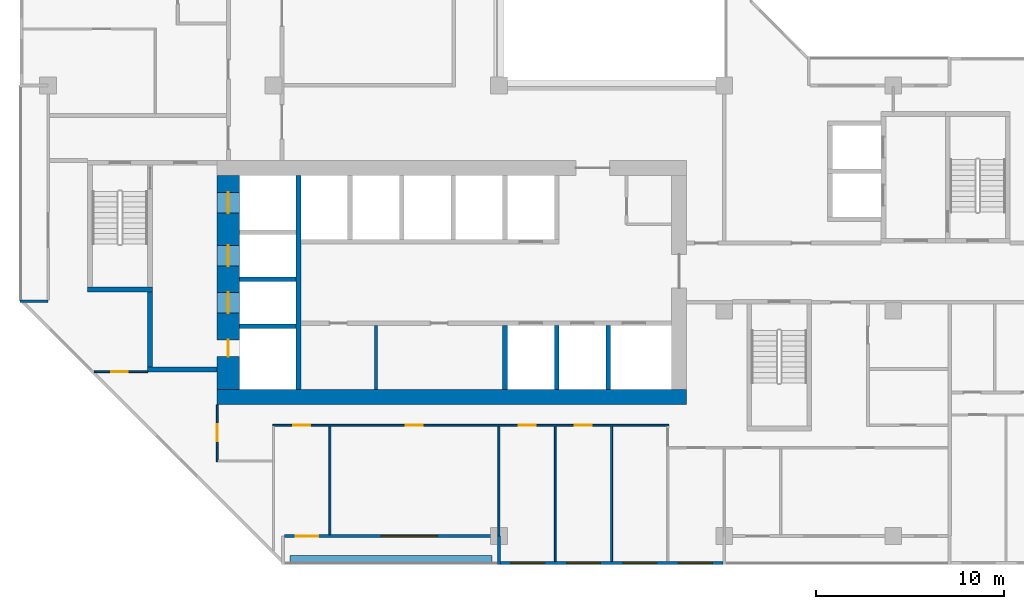
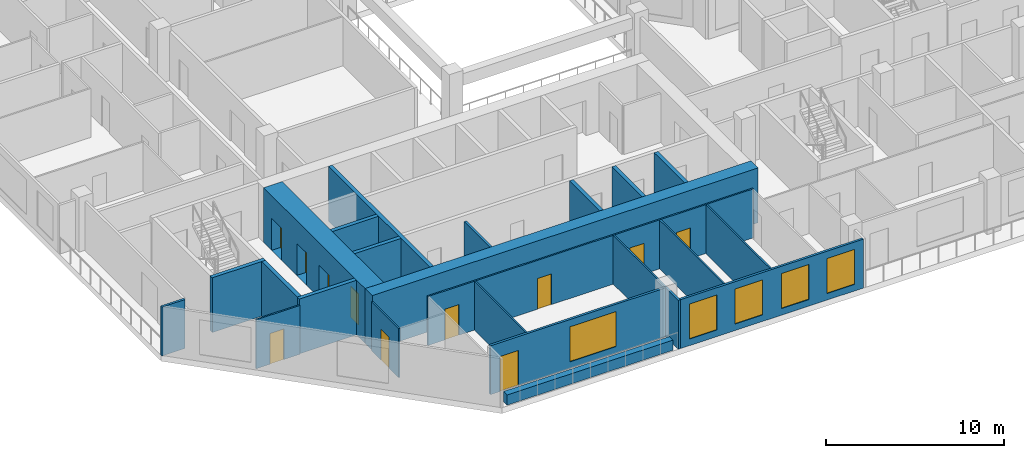
# One storey, part 4 of 15: 24 walls, 11 doors, 5 windows, 16 openings.
"""IFC4 building model written with IfcOpenShell, lengths in metres."""

from ifc_helpers import new_model, si_unit, direction, frame, frame_2d, origin, place, context, subcontext, project, spatial, rectangle, extrude, material, layer, layer_set, type_object, element, fill, save


model = new_model("IFC4")

# Units and contexts
model_context = context("Model", 3, precision=1e-05, world=origin(), true_north=direction((0.0, 1.0)))
body_context = subcontext(model_context, "Body", "Model", "MODEL_VIEW")
ifc_project = project(units=[si_unit("LENGTHUNIT", "METRE"), si_unit("AREAUNIT", "SQUARE_METRE"), si_unit("VOLUMEUNIT", "CUBIC_METRE"), si_unit("PLANEANGLEUNIT", "RADIAN"), si_unit("MASSUNIT", "GRAM", prefix="KILO")], contexts=[model_context])

# Site, building, storey
site_placement = place(None, origin())
site = spatial("IfcSite", under=ifc_project, at=site_placement, CompositionType="ELEMENT")
building_placement = place(site_placement, origin())
building = spatial("IfcBuilding", under=site, at=building_placement, Name="Chenar Terraces", CompositionType="ELEMENT")
storey_placement = place(building_placement, frame((0.0, 0.0, 198.64990234375)))
storey = spatial("IfcBuildingStorey", under=building, at=storey_placement, Name="L46", CompositionType="ELEMENT", Elevation=198.64990234375)

# Wall
ifc_material_1 = material(Name="Gypsum board on steel studs", Category="steel")
ifc_layer_1 = layer(ifc_material_1, 0.14990234375)
ifc_layer_set_1 = layer_set([ifc_layer_1], Name="Gypsum board on steel studs")
wall_type_1 = type_object("IfcWallType", Name="Core partition 150 gypsum board", PredefinedType="PARTITIONING", material=ifc_layer_set_1)
wall_1_placement = place(storey_placement, frame((17.449951171875, 7.800048828125, 0.0), z_axis=(0.0, 0.0, 1.0), x_axis=(0.0, 1.0, 0.0)))
element("IfcWall", 1, at=wall_1_placement, inside=storey, type_object=wall_type_1, Name="Core partition CP1 freed bay wall", PredefinedType="PARTITIONING", context=body_context, shape_type="SweptSolid", body=[
    extrude(rectangle(XDim=3.39990234375, YDim=0.14990234375, at=frame_2d((1.699951171875, 0.0))), origin(), (0.0, 0.0, 1.0), 3.35009765625),
])

# Wall, openings, doors
ifc_material_2 = material(Name="Concrete C60/75", Category="concrete")
ifc_layer_2 = layer(ifc_material_2, 1.199951171875)
ifc_layer_set_2 = layer_set([ifc_layer_2], Name="Concrete C60/75")
wall_type_2 = type_object("IfcWallType", Name="Core wall 1200 Concrete C60/75", PredefinedType="SHEAR", material=ifc_layer_set_2)
wall_2_placement = place(storey_placement, frame((9.60009765625, 7.800048828125, 0.0), z_axis=(0.0, 0.0, 1.0), x_axis=(0.0, 1.0, 0.0)))
wall_2 = element("IfcWall", 2, at=wall_2_placement, inside=storey, type_object=wall_type_2, Name="Core wall W L46", PredefinedType="SHEAR", context=body_context, shape_type="SweptSolid", body=[
    extrude(rectangle(XDim=11.39990234375, YDim=1.199951171875, at=frame_2d((5.699951171875, 0.0))), origin(), (0.0, 0.0, 1.0), 3.75),
])
opening_1_placement = place(wall_2_placement, frame((4.074951171875, 0.0, 0.0)))
opening_1 = element("IfcOpeningElement", 3, at=opening_1_placement, cuts=wall_2, Name="Opening DL46-LD5", PredefinedType="OPENING", context=body_context, shape_type="SweptSolid", body=[
    extrude(rectangle(XDim=1.10009765625, YDim=2.199951171875, at=frame_2d((0.550048828125, 1.10009765625))), frame((0.0, 0.60986328125, 0.0), z_axis=(0.0, -1.0, 0.0), x_axis=(1.0, 0.0, 0.0)), (0.0, 0.0, 1.0), 1.219970703125),
])
opening_2_placement = place(wall_2_placement, frame((6.574951171875, 0.0, 0.0)))
opening_2 = element("IfcOpeningElement", 4, at=opening_2_placement, cuts=wall_2, Name="Opening DL46-LD6", PredefinedType="OPENING", context=body_context, shape_type="SweptSolid", body=[
    extrude(rectangle(XDim=1.10009765625, YDim=2.199951171875, at=frame_2d((0.550048828125, 1.10009765625))), frame((0.0, 0.60986328125, 0.0), z_axis=(0.0, -1.0, 0.0), x_axis=(1.0, 0.0, 0.0)), (0.0, 0.0, 1.0), 1.219970703125),
])
opening_3_placement = place(wall_2_placement, frame((9.39990234375, 0.0, 0.0)))
opening_3 = element("IfcOpeningElement", 5, at=opening_3_placement, cuts=wall_2, Name="Opening DL46-LD7", PredefinedType="OPENING", context=body_context, shape_type="SweptSolid", body=[
    extrude(rectangle(XDim=1.10009765625, YDim=2.199951171875, at=frame_2d((0.550048828125, 1.10009765625))), frame((0.0, 0.60986328125, 0.0), z_axis=(0.0, -1.0, 0.0), x_axis=(1.0, 0.0, 0.0)), (0.0, 0.0, 1.0), 1.219970703125),
])
opening_4_placement = place(wall_2_placement, frame((1.75, 0.0, 0.0)))
opening_4 = element("IfcOpeningElement", 6, at=opening_4_placement, cuts=wall_2, Name="Opening DL46-C4", PredefinedType="OPENING", context=body_context, shape_type="SweptSolid", body=[
    extrude(rectangle(XDim=0.89990234375, YDim=2.10009765625, at=frame_2d((0.449951171875, 1.050048828125))), frame((0.0, 0.60986328125, 0.0), z_axis=(0.0, -1.0, 0.0), x_axis=(1.0, 0.0, 0.0)), (0.0, 0.0, 1.0), 1.219970703125),
])
ifc_material_3 = material(Name="Stainless steel", Category="steel")
door_type_1 = type_object("IfcDoorType", Name="Lift landing door 1100 x 2200 sliding", OperationType="DOUBLE_DOOR_SLIDING", PredefinedType="DOOR", material=ifc_material_3)
door_1_placement = place(opening_1_placement, origin())
door_1 = element("IfcDoor", 7, at=door_1_placement, inside=storey, type_object=door_type_1, Name="Landing door S1", OperationType="DOUBLE_DOOR_SLIDING", OverallHeight=2.199951171875, OverallWidth=1.10009765625, PredefinedType="DOOR", context=body_context, shape_type="SweptSolid", body=[
    extrude(rectangle(XDim=1.10009765625, YDim=2.199951171875, at=frame_2d((0.550048828125, 1.10009765625))), frame((0.0, 0.02490234375, 0.0), z_axis=(0.0, -1.0, 0.0), x_axis=(1.0, 0.0, 0.0)), (0.0, 0.0, 1.0), 0.050048828125),
])
fill(opening_1, door_1)
door_2_placement = place(opening_2_placement, origin())
door_2 = element("IfcDoor", 8, at=door_2_placement, inside=storey, type_object=door_type_1, Name="Landing door F1", OperationType="DOUBLE_DOOR_SLIDING", OverallHeight=2.199951171875, OverallWidth=1.10009765625, PredefinedType="DOOR", context=body_context, shape_type="SweptSolid", body=[
    extrude(rectangle(XDim=1.10009765625, YDim=2.199951171875, at=frame_2d((0.550048828125, 1.10009765625))), frame((0.0, 0.02490234375, 0.0), z_axis=(0.0, -1.0, 0.0), x_axis=(1.0, 0.0, 0.0)), (0.0, 0.0, 1.0), 0.050048828125),
])
fill(opening_2, door_2)
door_3_placement = place(opening_3_placement, origin())
door_3 = element("IfcDoor", 9, at=door_3_placement, inside=storey, type_object=door_type_1, Name="Landing door F2", OperationType="DOUBLE_DOOR_SLIDING", OverallHeight=2.199951171875, OverallWidth=1.10009765625, PredefinedType="DOOR", context=body_context, shape_type="SweptSolid", body=[
    extrude(rectangle(XDim=1.10009765625, YDim=2.199951171875, at=frame_2d((0.550048828125, 1.10009765625))), frame((0.0, 0.02490234375, 0.0), z_axis=(0.0, -1.0, 0.0), x_axis=(1.0, 0.0, 0.0)), (0.0, 0.0, 1.0), 0.050048828125),
])
fill(opening_3, door_3)
ifc_material_4 = material(Name="Steel-framed fire-resisting door leaf", Category="steel")
door_type_2 = type_object("IfcDoorType", Name="Riser fire door FD60 900 x 2100", OperationType="SINGLE_SWING_LEFT", PredefinedType="DOOR", material=ifc_material_4)
door_4_placement = place(opening_4_placement, frame((0.89990234375, 0.0, 0.0), z_axis=(0.0, 0.0, 1.0), x_axis=(-1.0, 0.0, 0.0)))
door_4 = element("IfcDoor", 10, at=door_4_placement, inside=storey, type_object=door_type_2, Name="Riser door DL46-C4", OperationType="SINGLE_SWING_LEFT", OverallHeight=2.10009765625, OverallWidth=0.89990234375, PredefinedType="DOOR", context=body_context, shape_type="SweptSolid", body=[
    extrude(rectangle(XDim=0.89990234375, YDim=2.10009765625, at=frame_2d((0.449951171875, 1.050048828125))), frame((0.0, 0.02490234375, 0.0), z_axis=(0.0, -1.0, 0.0), x_axis=(1.0, 0.0, 0.0)), (0.0, 0.0, 1.0), 0.050048828125),
])
fill(opening_4, door_4)

# Walls
ifc_material_5 = material(Name="Concrete C60/75", Category="concrete")
ifc_layer_3 = layer(ifc_material_5, 0.25)
ifc_layer_set_3 = layer_set([ifc_layer_3], Name="Concrete C60/75")
wall_type_3 = type_object("IfcWallType", Name="Core wall 250 Concrete C60/75", PredefinedType="SHEAR", material=ifc_layer_set_3)
wall_3_placement = place(storey_placement, frame((13.324951171875, 7.800048828125, 0.0), z_axis=(0.0, 0.0, 1.0), x_axis=(0.0, 1.0, 0.0)))
element("IfcWall", 11, at=wall_3_placement, inside=storey, type_object=wall_type_3, Name="Core wall WI L46", PredefinedType="SHEAR", context=body_context, shape_type="SweptSolid", body=[
    extrude(rectangle(XDim=11.39990234375, YDim=0.25, at=frame_2d((5.699951171875, 0.0))), origin(), (0.0, 0.0, 1.0), 3.75),
])
for number, where, z_axis, x_axis, name in (
    (12, (10.199951171875, 11.175048828125, 0.0), (0.0, 0.0, 1.0), (1.0, 0.0, 0.0), "Core wall HW0 L46"),
    (13, (10.199951171875, 13.675048828125, 0.0), (0.0, 0.0, 1.0), (1.0, 0.0, 0.0), "Core wall HW1 L46"),
):
    element("IfcWall", number, at=place(storey_placement, frame(where, z_axis=z_axis, x_axis=x_axis)), inside=storey, type_object=wall_type_3, Name=name, PredefinedType="SHEAR", context=body_context, shape_type="SweptSolid", body=[
        extrude(rectangle(XDim=3.0, YDim=0.25, at=frame_2d((1.5, 0.0))), origin(), (0.0, 0.0, 1.0), 3.75),
    ])
for number, where, z_axis, x_axis, name in (
    (14, (24.324951171875, 7.800048828125, 0.0), (0.0, 0.0, 1.0), (0.0, 1.0, 0.0), "Core wall SS3 L46"),
    (15, (27.074951171875, 7.800048828125, 0.0), (0.0, 0.0, 1.0), (0.0, 1.0, 0.0), "Core wall SS4 L46"),
    (16, (29.824951171875, 7.800048828125, 0.0), (0.0, 0.0, 1.0), (0.0, 1.0, 0.0), "Core wall SS5 L46"),
):
    element("IfcWall", number, at=place(storey_placement, frame(where, z_axis=z_axis, x_axis=x_axis)), inside=storey, type_object=wall_type_3, Name=name, PredefinedType="SHEAR", context=body_context, shape_type="SweptSolid", body=[
        extrude(rectangle(XDim=3.39990234375, YDim=0.25, at=frame_2d((1.699951171875, 0.0))), origin(), (0.0, 0.0, 1.0), 3.75),
    ])
wall_4_placement = place(storey_placement, frame((2.10009765625, 13.125, 0.0), z_axis=(0.0, 0.0, 1.0), x_axis=(1.0, 0.0, 0.0)))
element("IfcWall", 17, at=wall_4_placement, inside=storey, type_object=wall_type_3, Name="Core wall ST1_S L46", PredefinedType="SHEAR", context=body_context, shape_type="SweptSolid", body=[
    extrude(rectangle(XDim=3.449951171875, YDim=0.25, at=frame_2d((1.72509765625, 0.0))), origin(), (0.0, 0.0, 1.0), 3.75),
])
wall_5_placement = place(storey_placement, frame((5.300048828125, 8.875, 0.0), z_axis=(0.0, 0.0, 1.0), x_axis=(1.0, 0.0, 0.0)))
element("IfcWall", 18, at=wall_5_placement, inside=storey, type_object=wall_type_3, Name="Core wall FFL_S L46", PredefinedType="SHEAR", context=body_context, shape_type="SweptSolid", body=[
    extrude(rectangle(XDim=3.699951171875, YDim=0.25, at=frame_2d((1.85009765625, 0.0))), origin(), (0.0, 0.0, 1.0), 3.75),
])
wall_6_placement = place(storey_placement, frame((5.425048828125, 9.0, 0.0), z_axis=(0.0, 0.0, 1.0), x_axis=(0.0, 1.0, 0.0)))
element("IfcWall", 19, at=wall_6_placement, inside=storey, type_object=wall_type_3, Name="Core wall FFL_W L46", PredefinedType="SHEAR", context=body_context, shape_type="SweptSolid", body=[
    extrude(rectangle(XDim=4.0, YDim=0.25, at=frame_2d((2.0, 0.0))), origin(), (0.0, 0.0, 1.0), 3.75),
])
ifc_material_6 = material(Name="Concrete C60/75", Category="concrete")
ifc_layer_4 = layer(ifc_material_6, 0.800048828125)
ifc_layer_set_4 = layer_set([ifc_layer_4], Name="Concrete C60/75")
wall_type_4 = type_object("IfcWallType", Name="Core wall 800 Concrete C60/75", PredefinedType="SHEAR", material=ifc_layer_set_4)
wall_7_placement = place(storey_placement, frame((9.0, 7.39990234375, 0.0), z_axis=(0.0, 0.0, 1.0), x_axis=(1.0, 0.0, 0.0)))
element("IfcWall", 20, at=wall_7_placement, inside=storey, type_object=wall_type_4, Name="Core wall S L46", PredefinedType="SHEAR", context=body_context, shape_type="SweptSolid", body=[
    extrude(rectangle(XDim=25.0, YDim=0.800048828125, at=frame_2d((12.5, 0.0))), origin(), (0.0, 0.0, 1.0), 3.75),
])

# Wall, openings, windows
ifc_material_7 = material(Name="Aluminium framed glazing", Category="aluminium")
ifc_layer_5 = layer(ifc_material_7, 0.14990234375)
ifc_layer_set_5 = layer_set([ifc_layer_5], Name="Aluminium framed glazing")
wall_type_5 = type_object("IfcWallType", Name="Glazed flush facade wall 150", PredefinedType="SOLIDWALL", material=ifc_layer_set_5)
wall_8_placement = place(storey_placement, frame((24.074951171875, -1.425048828125, 0.0), z_axis=(0.0, 0.0, 1.0), x_axis=(1.0, 0.0, 0.0)))
wall_8 = element("IfcWall", 21, at=wall_8_placement, inside=storey, type_object=wall_type_5, Name="Glazed flush facade wall", PredefinedType="SOLIDWALL", context=body_context, shape_type="SweptSolid", body=[
    extrude(rectangle(XDim=11.85009765625, YDim=0.14990234375, at=frame_2d((5.925048828125, 0.0))), origin(), (0.0, 0.0, 1.0), 3.35009765625),
])
opening_5_placement = place(wall_8_placement, frame((0.5625, 0.0, 0.449951171875)))
opening_5 = element("IfcOpeningElement", 22, at=opening_5_placement, cuts=wall_8, Name="Opening W180x240", PredefinedType="OPENING", context=body_context, shape_type="SweptSolid", body=[
    extrude(rectangle(XDim=1.800048828125, YDim=2.39990234375, at=frame_2d((0.89990234375, 1.199951171875))), frame((0.0, 0.0849609375, 0.0), z_axis=(0.0, -1.0, 0.0), x_axis=(1.0, 0.0, 0.0)), (0.0, 0.0, 1.0), 0.169921875),
])
opening_6_placement = place(wall_8_placement, frame((3.52490234375, 0.0, 0.449951171875)))
opening_6 = element("IfcOpeningElement", 23, at=opening_6_placement, cuts=wall_8, Name="Opening W180x240", PredefinedType="OPENING", context=body_context, shape_type="SweptSolid", body=[
    extrude(rectangle(XDim=1.800048828125, YDim=2.39990234375, at=frame_2d((0.89990234375, 1.199951171875))), frame((0.0, 0.0849609375, 0.0), z_axis=(0.0, -1.0, 0.0), x_axis=(1.0, 0.0, 0.0)), (0.0, 0.0, 1.0), 0.169921875),
])
opening_7_placement = place(wall_8_placement, frame((6.52490234375, 0.0, 0.449951171875)))
opening_7 = element("IfcOpeningElement", 24, at=opening_7_placement, cuts=wall_8, Name="Opening W180x240", PredefinedType="OPENING", context=body_context, shape_type="SweptSolid", body=[
    extrude(rectangle(XDim=1.800048828125, YDim=2.39990234375, at=frame_2d((0.89990234375, 1.199951171875))), frame((0.0, 0.0849609375, 0.0), z_axis=(0.0, -1.0, 0.0), x_axis=(1.0, 0.0, 0.0)), (0.0, 0.0, 1.0), 0.169921875),
])
opening_8_placement = place(wall_8_placement, frame((9.487548828125, 0.0, 0.449951171875)))
opening_8 = element("IfcOpeningElement", 25, at=opening_8_placement, cuts=wall_8, Name="Opening W180x240", PredefinedType="OPENING", context=body_context, shape_type="SweptSolid", body=[
    extrude(rectangle(XDim=1.800048828125, YDim=2.39990234375, at=frame_2d((0.89990234375, 1.199951171875))), frame((0.0, 0.0849609375, 0.0), z_axis=(0.0, -1.0, 0.0), x_axis=(1.0, 0.0, 0.0)), (0.0, 0.0, 1.0), 0.169921875),
])
ifc_material_8 = material(Name="Low emissivity double glazing, aluminium frame", Category="aluminium")
window_type_1 = type_object("IfcWindowType", Name="Fixed light 1800 x 2400", PartitioningType="SINGLE_PANEL", PredefinedType="WINDOW", material=ifc_material_8)
window_1_placement = place(opening_5_placement, origin())
window_1 = element("IfcWindow", 26, at=window_1_placement, inside=storey, type_object=window_type_1, Name="Window", OverallHeight=2.39990234375, OverallWidth=1.800048828125, PartitioningType="SINGLE_PANEL", PredefinedType="WINDOW", context=body_context, shape_type="SweptSolid", body=[
    extrude(rectangle(XDim=1.800048828125, YDim=2.39990234375, at=frame_2d((0.89990234375, 1.199951171875))), frame((0.0, 0.030029296875, 0.0), z_axis=(0.0, -1.0, 0.0), x_axis=(1.0, 0.0, 0.0)), (0.0, 0.0, 1.0), 0.06005859375),
])
fill(opening_5, window_1)
window_2_placement = place(opening_6_placement, origin())
window_2 = element("IfcWindow", 27, at=window_2_placement, inside=storey, type_object=window_type_1, Name="Window", OverallHeight=2.39990234375, OverallWidth=1.800048828125, PartitioningType="SINGLE_PANEL", PredefinedType="WINDOW", context=body_context, shape_type="SweptSolid", body=[
    extrude(rectangle(XDim=1.800048828125, YDim=2.39990234375, at=frame_2d((0.89990234375, 1.199951171875))), frame((0.0, 0.030029296875, 0.0), z_axis=(0.0, -1.0, 0.0), x_axis=(1.0, 0.0, 0.0)), (0.0, 0.0, 1.0), 0.06005859375),
])
fill(opening_6, window_2)
window_3_placement = place(opening_7_placement, origin())
window_3 = element("IfcWindow", 28, at=window_3_placement, inside=storey, type_object=window_type_1, Name="Window", OverallHeight=2.39990234375, OverallWidth=1.800048828125, PartitioningType="SINGLE_PANEL", PredefinedType="WINDOW", context=body_context, shape_type="SweptSolid", body=[
    extrude(rectangle(XDim=1.800048828125, YDim=2.39990234375, at=frame_2d((0.89990234375, 1.199951171875))), frame((0.0, 0.030029296875, 0.0), z_axis=(0.0, -1.0, 0.0), x_axis=(1.0, 0.0, 0.0)), (0.0, 0.0, 1.0), 0.06005859375),
])
fill(opening_7, window_3)
window_4_placement = place(opening_8_placement, origin())
window_4 = element("IfcWindow", 29, at=window_4_placement, inside=storey, type_object=window_type_1, Name="Window", OverallHeight=2.39990234375, OverallWidth=1.800048828125, PartitioningType="SINGLE_PANEL", PredefinedType="WINDOW", context=body_context, shape_type="SweptSolid", body=[
    extrude(rectangle(XDim=1.800048828125, YDim=2.39990234375, at=frame_2d((0.89990234375, 1.199951171875))), frame((0.0, 0.030029296875, 0.0), z_axis=(0.0, -1.0, 0.0), x_axis=(1.0, 0.0, 0.0)), (0.0, 0.0, 1.0), 0.06005859375),
])
fill(opening_8, window_4)

# Wall, openings, window, door
ifc_material_9 = material(Name="Aluminium framed glazing", Category="aluminium")
ifc_layer_6 = layer(ifc_material_9, 0.14990234375)
ifc_layer_set_6 = layer_set([ifc_layer_6], Name="Aluminium framed glazing")
wall_type_6 = type_object("IfcWallType", Name="Glazed loggia back wall 150", PredefinedType="SOLIDWALL", material=ifc_layer_set_6)
wall_9_placement = place(storey_placement, frame((12.574951171875, 0.0, 0.0), z_axis=(0.0, 0.0, 1.0), x_axis=(1.0, 0.0, 0.0)))
wall_9 = element("IfcWall", 30, at=wall_9_placement, inside=storey, type_object=wall_type_6, Name="Glazed loggia back wall", PredefinedType="SOLIDWALL", context=body_context, shape_type="SweptSolid", body=[
    extrude(rectangle(XDim=11.35009765625, YDim=0.14990234375, at=frame_2d((5.675048828125, 0.0))), origin(), (0.0, 0.0, 1.0), 3.35009765625),
])
opening_9_placement = place(wall_9_placement, frame((0.612548828125, 0.0, 0.0)))
opening_9 = element("IfcOpeningElement", 31, at=opening_9_placement, cuts=wall_9, Name="Opening DL46-G5", PredefinedType="OPENING", context=body_context, shape_type="SweptSolid", body=[
    extrude(rectangle(XDim=1.199951171875, YDim=2.39990234375, at=frame_2d((0.60009765625, 1.199951171875))), frame((0.0, 0.0849609375, 0.0), z_axis=(0.0, -1.0, 0.0), x_axis=(1.0, 0.0, 0.0)), (0.0, 0.0, 1.0), 0.169921875),
])
opening_10_placement = place(wall_9_placement, frame((5.14990234375, 0.0, 0.449951171875)))
opening_10 = element("IfcOpeningElement", 32, at=opening_10_placement, cuts=wall_9, Name="Opening W300x240", PredefinedType="OPENING", context=body_context, shape_type="SweptSolid", body=[
    extrude(rectangle(XDim=3.0, YDim=2.39990234375, at=frame_2d((1.5, 1.199951171875))), frame((0.0, 0.0849609375, 0.0), z_axis=(0.0, -1.0, 0.0), x_axis=(1.0, 0.0, 0.0)), (0.0, 0.0, 1.0), 0.169921875),
])
ifc_material_10 = material(Name="Low emissivity double glazing, aluminium frame", Category="aluminium")
window_type_2 = type_object("IfcWindowType", Name="Fixed light 3000 x 2400", PartitioningType="SINGLE_PANEL", PredefinedType="WINDOW", material=ifc_material_10)
window_5_placement = place(opening_10_placement, origin())
window_5 = element("IfcWindow", 33, at=window_5_placement, inside=storey, type_object=window_type_2, Name="Window", OverallHeight=2.39990234375, OverallWidth=3.0, PartitioningType="SINGLE_PANEL", PredefinedType="WINDOW", context=body_context, shape_type="SweptSolid", body=[
    extrude(rectangle(XDim=3.0, YDim=2.39990234375, at=frame_2d((1.5, 1.199951171875))), frame((0.0, 0.030029296875, 0.0), z_axis=(0.0, -1.0, 0.0), x_axis=(1.0, 0.0, 0.0)), (0.0, 0.0, 1.0), 0.06005859375),
])
fill(opening_10, window_5)
ifc_material_11 = material(Name="Low emissivity double glazing, aluminium frame", Category="aluminium")
door_type_3 = type_object("IfcDoorType", Name="Loggia glazed double door 1200 x 2400", OperationType="DOUBLE_DOOR_SINGLE_SWING", PredefinedType="DOOR", material=ifc_material_11)
door_5_placement = place(opening_9_placement, frame((1.199951171875, 0.0, 0.0), z_axis=(0.0, 0.0, 1.0), x_axis=(-1.0, 0.0, 0.0)))
door_5 = element("IfcDoor", 34, at=door_5_placement, inside=storey, type_object=door_type_3, Name="Loggia glazed door", OperationType="DOUBLE_DOOR_SINGLE_SWING", OverallHeight=2.39990234375, OverallWidth=1.199951171875, PredefinedType="DOOR", context=body_context, shape_type="SweptSolid", body=[
    extrude(rectangle(XDim=1.199951171875, YDim=2.39990234375, at=frame_2d((0.60009765625, 1.199951171875))), frame((0.0, 0.02490234375, 0.0), z_axis=(0.0, -1.0, 0.0), x_axis=(1.0, 0.0, 0.0)), (0.0, 0.0, 1.0), 0.050048828125),
])
fill(opening_9, door_5)

# Wall, opening, door
ifc_material_12 = material(Name="Gypsum board on steel studs", Category="steel")
ifc_layer_7 = layer(ifc_material_12, 0.10009765625)
ifc_layer_set_7 = layer_set([ifc_layer_7], Name="Gypsum board on steel studs")
wall_type_7 = type_object("IfcWallType", Name="Gypsum partition 100", PredefinedType="PARTITIONING", material=ifc_layer_set_7)
wall_10_placement = place(storey_placement, frame((2.4609375, 8.75, 0.0), z_axis=(0.0, 0.0, 1.0), x_axis=(1.0, 0.0, 0.0)))
wall_10 = element("IfcWall", 35, at=wall_10_placement, inside=storey, type_object=wall_type_7, Name="Partition L46-012", PredefinedType="PARTITIONING", context=body_context, shape_type="SweptSolid", body=[
    extrude(rectangle(XDim=2.839111328125, YDim=0.10009765625, at=frame_2d((1.41943359375, 0.0))), origin(), (0.0, 0.0, 1.0), 3.35009765625),
])
opening_11_placement = place(wall_10_placement, frame((0.888916015625, 0.0, 0.0)))
opening_11 = element("IfcOpeningElement", 36, at=opening_11_placement, cuts=wall_10, Name="Opening DL46-51", PredefinedType="OPENING", context=body_context, shape_type="SweptSolid", body=[
    extrude(rectangle(XDim=0.89990234375, YDim=2.10009765625, at=frame_2d((0.449951171875, 1.050048828125))), frame((0.0, 0.06005859375, 0.0), z_axis=(0.0, -1.0, 0.0), x_axis=(1.0, 0.0, 0.0)), (0.0, 0.0, 1.0), 0.1201171875),
])
ifc_material_13 = material(Name="Veneered timber door leaf", Category="wood")
door_type_4 = type_object("IfcDoorType", Name="Door 900 x 2100", OperationType="SINGLE_SWING_LEFT", PredefinedType="DOOR", material=ifc_material_13)
door_6_placement = place(opening_11_placement, frame((0.89990234375, 0.0, 0.0), z_axis=(0.0, 0.0, 1.0), x_axis=(-1.0, 0.0, 0.0)))
door_6 = element("IfcDoor", 37, at=door_6_placement, inside=storey, type_object=door_type_4, Name="Door DL46-51", OperationType="SINGLE_SWING_RIGHT", OverallHeight=2.10009765625, OverallWidth=0.89990234375, PredefinedType="DOOR", context=body_context, shape_type="SweptSolid", body=[
    extrude(rectangle(XDim=0.89990234375, YDim=2.10009765625, at=frame_2d((0.449951171875, 1.050048828125))), frame((0.0, 0.02490234375, 0.0), z_axis=(0.0, -1.0, 0.0), x_axis=(1.0, 0.0, 0.0)), (0.0, 0.0, 1.0), 0.050048828125),
])
fill(opening_11, door_6)

wall_11_placement = place(storey_placement, frame((9.0, 3.949951171875, 0.0), z_axis=(0.0, 0.0, 1.0), x_axis=(0.0, 1.0, 0.0)))
wall_11 = element("IfcWall", 38, at=wall_11_placement, inside=storey, type_object=wall_type_7, Name="Partition L46-031", PredefinedType="PARTITIONING", context=body_context, shape_type="SweptSolid", body=[
    extrude(rectangle(XDim=3.050048828125, YDim=0.10009765625, at=frame_2d((1.52490234375, 0.0))), origin(), (0.0, 0.0, 1.0), 3.35009765625),
])
opening_12_placement = place(wall_11_placement, frame((1.10009765625, 0.0, 0.0)))
opening_12 = element("IfcOpeningElement", 39, at=opening_12_placement, cuts=wall_11, Name="Opening DL46-50", PredefinedType="OPENING", context=body_context, shape_type="SweptSolid", body=[
    extrude(rectangle(XDim=0.89990234375, YDim=2.10009765625, at=frame_2d((0.449951171875, 1.050048828125))), frame((0.0, 0.06005859375, 0.0), z_axis=(0.0, -1.0, 0.0), x_axis=(1.0, 0.0, 0.0)), (0.0, 0.0, 1.0), 0.1201171875),
])
door_7_placement = place(opening_12_placement, origin())
door_7 = element("IfcDoor", 40, at=door_7_placement, inside=storey, type_object=door_type_4, Name="Door DL46-50", OperationType="SINGLE_SWING_LEFT", OverallHeight=2.10009765625, OverallWidth=0.89990234375, PredefinedType="DOOR", context=body_context, shape_type="SweptSolid", body=[
    extrude(rectangle(XDim=0.89990234375, YDim=2.10009765625, at=frame_2d((0.449951171875, 1.050048828125))), frame((0.0, 0.02490234375, 0.0), z_axis=(0.0, -1.0, 0.0), x_axis=(1.0, 0.0, 0.0)), (0.0, 0.0, 1.0), 0.050048828125),
])
fill(opening_12, door_7)

# Wall, openings, doors
wall_12_placement = place(storey_placement, frame((11.949951171875, 5.89990234375, 0.0), z_axis=(0.0, 0.0, 1.0), x_axis=(1.0, 0.0, 0.0)))
wall_12 = element("IfcWall", 41, at=wall_12_placement, inside=storey, type_object=wall_type_7, Name="Partition L46-034", PredefinedType="PARTITIONING", context=body_context, shape_type="SweptSolid", body=[
    extrude(rectangle(XDim=21.10009765625, YDim=0.10009765625, at=frame_2d((10.550048828125, 0.0))), origin(), (0.0, 0.0, 1.0), 3.35009765625),
])
opening_13_placement = place(wall_12_placement, frame((1.10009765625, 0.0, 0.0)))
opening_13 = element("IfcOpeningElement", 42, at=opening_13_placement, cuts=wall_12, Name="Opening DL46-44", PredefinedType="OPENING", context=body_context, shape_type="SweptSolid", body=[
    extrude(rectangle(XDim=0.89990234375, YDim=2.10009765625, at=frame_2d((0.449951171875, 1.050048828125))), frame((0.0, 0.06005859375, 0.0), z_axis=(0.0, -1.0, 0.0), x_axis=(1.0, 0.0, 0.0)), (0.0, 0.0, 1.0), 0.1201171875),
])
opening_14_placement = place(wall_12_placement, frame((13.10009765625, 0.0, 0.0)))
opening_14 = element("IfcOpeningElement", 43, at=opening_14_placement, cuts=wall_12, Name="Opening DL46-45", PredefinedType="OPENING", context=body_context, shape_type="SweptSolid", body=[
    extrude(rectangle(XDim=0.89990234375, YDim=2.10009765625, at=frame_2d((0.449951171875, 1.050048828125))), frame((0.0, 0.06005859375, 0.0), z_axis=(0.0, -1.0, 0.0), x_axis=(1.0, 0.0, 0.0)), (0.0, 0.0, 1.0), 0.1201171875),
])
opening_15_placement = place(wall_12_placement, frame((16.10009765625, 0.0, 0.0)))
opening_15 = element("IfcOpeningElement", 44, at=opening_15_placement, cuts=wall_12, Name="Opening DL46-46", PredefinedType="OPENING", context=body_context, shape_type="SweptSolid", body=[
    extrude(rectangle(XDim=0.89990234375, YDim=2.10009765625, at=frame_2d((0.449951171875, 1.050048828125))), frame((0.0, 0.06005859375, 0.0), z_axis=(0.0, -1.0, 0.0), x_axis=(1.0, 0.0, 0.0)), (0.0, 0.0, 1.0), 0.1201171875),
])
opening_16_placement = place(wall_12_placement, frame((7.10009765625, 0.0, 0.0)))
opening_16 = element("IfcOpeningElement", 45, at=opening_16_placement, cuts=wall_12, Name="Opening DL46-54", PredefinedType="OPENING", context=body_context, shape_type="SweptSolid", body=[
    extrude(rectangle(XDim=0.89990234375, YDim=2.10009765625, at=frame_2d((0.449951171875, 1.050048828125))), frame((0.0, 0.06005859375, 0.0), z_axis=(0.0, -1.0, 0.0), x_axis=(1.0, 0.0, 0.0)), (0.0, 0.0, 1.0), 0.1201171875),
])
door_8_placement = place(opening_13_placement, frame((0.89990234375, 0.0, 0.0), z_axis=(0.0, 0.0, 1.0), x_axis=(-1.0, 0.0, 0.0)))
door_8 = element("IfcDoor", 46, at=door_8_placement, inside=storey, type_object=door_type_4, Name="Door DL46-44", OperationType="SINGLE_SWING_RIGHT", OverallHeight=2.10009765625, OverallWidth=0.89990234375, PredefinedType="DOOR", context=body_context, shape_type="SweptSolid", body=[
    extrude(rectangle(XDim=0.89990234375, YDim=2.10009765625, at=frame_2d((0.449951171875, 1.050048828125))), frame((0.0, 0.02490234375, 0.0), z_axis=(0.0, -1.0, 0.0), x_axis=(1.0, 0.0, 0.0)), (0.0, 0.0, 1.0), 0.050048828125),
])
fill(opening_13, door_8)
door_9_placement = place(opening_14_placement, frame((0.89990234375, 0.0, 0.0), z_axis=(0.0, 0.0, 1.0), x_axis=(-1.0, 0.0, 0.0)))
door_9 = element("IfcDoor", 47, at=door_9_placement, inside=storey, type_object=door_type_4, Name="Door DL46-45", OperationType="SINGLE_SWING_RIGHT", OverallHeight=2.10009765625, OverallWidth=0.89990234375, PredefinedType="DOOR", context=body_context, shape_type="SweptSolid", body=[
    extrude(rectangle(XDim=0.89990234375, YDim=2.10009765625, at=frame_2d((0.449951171875, 1.050048828125))), frame((0.0, 0.02490234375, 0.0), z_axis=(0.0, -1.0, 0.0), x_axis=(1.0, 0.0, 0.0)), (0.0, 0.0, 1.0), 0.050048828125),
])
fill(opening_14, door_9)
door_10_placement = place(opening_15_placement, frame((0.89990234375, 0.0, 0.0), z_axis=(0.0, 0.0, 1.0), x_axis=(-1.0, 0.0, 0.0)))
door_10 = element("IfcDoor", 48, at=door_10_placement, inside=storey, type_object=door_type_4, Name="Door DL46-46", OperationType="SINGLE_SWING_RIGHT", OverallHeight=2.10009765625, OverallWidth=0.89990234375, PredefinedType="DOOR", context=body_context, shape_type="SweptSolid", body=[
    extrude(rectangle(XDim=0.89990234375, YDim=2.10009765625, at=frame_2d((0.449951171875, 1.050048828125))), frame((0.0, 0.02490234375, 0.0), z_axis=(0.0, -1.0, 0.0), x_axis=(1.0, 0.0, 0.0)), (0.0, 0.0, 1.0), 0.050048828125),
])
fill(opening_15, door_10)
door_11_placement = place(opening_16_placement, frame((0.89990234375, 0.0, 0.0), z_axis=(0.0, 0.0, 1.0), x_axis=(-1.0, 0.0, 0.0)))
door_11 = element("IfcDoor", 49, at=door_11_placement, inside=storey, type_object=door_type_4, Name="Door DL46-54", OperationType="SINGLE_SWING_RIGHT", OverallHeight=2.10009765625, OverallWidth=0.89990234375, PredefinedType="DOOR", context=body_context, shape_type="SweptSolid", body=[
    extrude(rectangle(XDim=0.89990234375, YDim=2.10009765625, at=frame_2d((0.449951171875, 1.050048828125))), frame((0.0, 0.02490234375, 0.0), z_axis=(0.0, -1.0, 0.0), x_axis=(1.0, 0.0, 0.0)), (0.0, 0.0, 1.0), 0.050048828125),
])
fill(opening_16, door_11)

# Walls
wall_13_placement = place(storey_placement, frame((15.0, 0.073974609375, 0.0), z_axis=(0.0, 0.0, 1.0), x_axis=(0.0, 1.0, 0.0)))
element("IfcWall", 50, at=wall_13_placement, inside=storey, type_object=wall_type_7, Name="Partition L46-046", PredefinedType="PARTITIONING", context=body_context, shape_type="SweptSolid", body=[
    extrude(rectangle(XDim=5.776123046875, YDim=0.10009765625, at=frame_2d((2.88818359375, 0.0))), origin(), (0.0, 0.0, 1.0), 3.35009765625),
])
wall_14_placement = place(storey_placement, frame((24.0, 0.0, 0.0), z_axis=(0.0, 0.0, 1.0), x_axis=(0.0, 1.0, 0.0)))
element("IfcWall", 51, at=wall_14_placement, inside=storey, type_object=wall_type_7, Name="Partition L46-059", PredefinedType="PARTITIONING", context=body_context, shape_type="SweptSolid", body=[
    extrude(rectangle(XDim=5.85009765625, YDim=0.10009765625, at=frame_2d((2.925048828125, 0.0))), origin(), (0.0, 0.0, 1.0), 3.35009765625),
])
for number, where, z_axis, x_axis, name in (
    (52, (27.0, -1.35107421875, 0.0), (0.0, 0.0, 1.0), (0.0, 1.0, 0.0), "Partition L46-060"),
    (53, (30.0, -1.35107421875, 0.0), (0.0, 0.0, 1.0), (0.0, 1.0, 0.0), "Partition L46-061"),
):
    element("IfcWall", number, at=place(storey_placement, frame(where, z_axis=z_axis, x_axis=x_axis)), inside=storey, type_object=wall_type_7, Name=name, PredefinedType="PARTITIONING", context=body_context, shape_type="SweptSolid", body=[
        extrude(rectangle(XDim=7.201171875, YDim=0.10009765625, at=frame_2d((3.6005859375, 0.0))), origin(), (0.0, 0.0, 1.0), 3.35009765625),
    ])
ifc_material_14 = material(Name="Terracotta cladding on insulated backing", Category="masonry")
ifc_layer_8 = layer(ifc_material_14, 0.14990234375)
ifc_layer_set_8 = layer_set([ifc_layer_8], Name="Terracotta cladding on insulated backing")
wall_type_8 = type_object("IfcWallType", Name="Loggia return wall 150", PredefinedType="SOLIDWALL", material=ifc_layer_set_8)
for number, where, z_axis, x_axis, name in (
    (54, (-1.5, 12.5, 0.0), (0.0, 0.0, 1.0), (1.0, 0.0, 0.0), "Loggia return wall"),
    (55, (24.0, -1.5, 0.0), (0.0, 0.0, 1.0), (0.0, 1.0, 0.0), "Loggia return wall"),
):
    element("IfcWall", number, at=place(storey_placement, frame(where, z_axis=z_axis, x_axis=x_axis)), inside=storey, type_object=wall_type_8, Name=name, PredefinedType="SOLIDWALL", context=body_context, shape_type="SweptSolid", body=[
        extrude(rectangle(XDim=1.5, YDim=0.14990234375, at=frame_2d((0.75, 0.0))), origin(), (0.0, 0.0, 1.0), 3.35009765625),
    ])
ifc_material_15 = material(Name="GRP planter trough")
ifc_layer_9 = layer(ifc_material_15, 0.39990234375)
ifc_layer_set_9 = layer_set([ifc_layer_9], Name="GRP planter trough")
wall_type_9 = type_object("IfcWallType", Name="Vertical greenery planter 400", PredefinedType="SOLIDWALL", material=ifc_layer_set_9)
wall_15_placement = place(storey_placement, frame((12.875, -1.22900390625, 0.0), z_axis=(0.0, 0.0, 1.0), x_axis=(1.0, 0.0, 0.0)))
element("IfcWall", 56, at=wall_15_placement, inside=storey, type_object=wall_type_9, Name="Vertical greenery planter", PredefinedType="SOLIDWALL", context=body_context, shape_type="SweptSolid", body=[
    extrude(rectangle(XDim=10.75, YDim=0.39990234375, at=frame_2d((5.375, 0.0))), origin(), (0.0, 0.0, 1.0), 0.7001953125),
])

save(model, "model.ifc")
